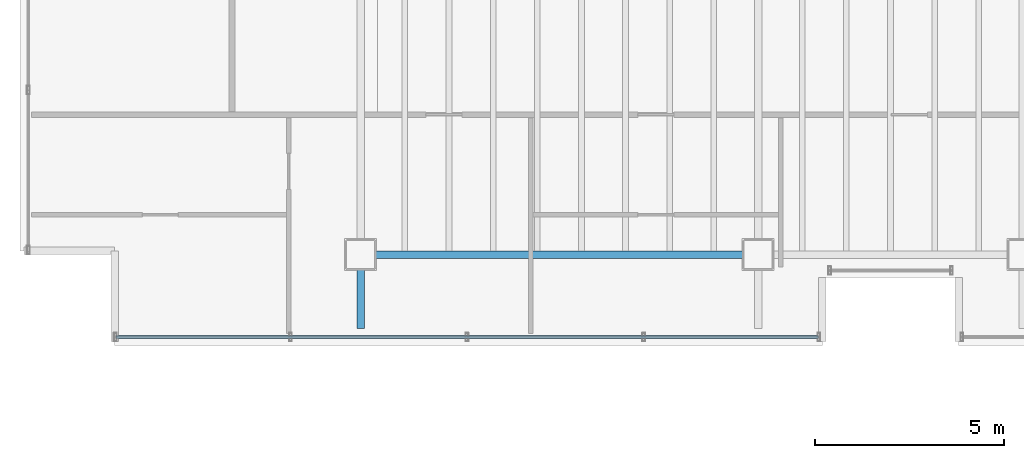
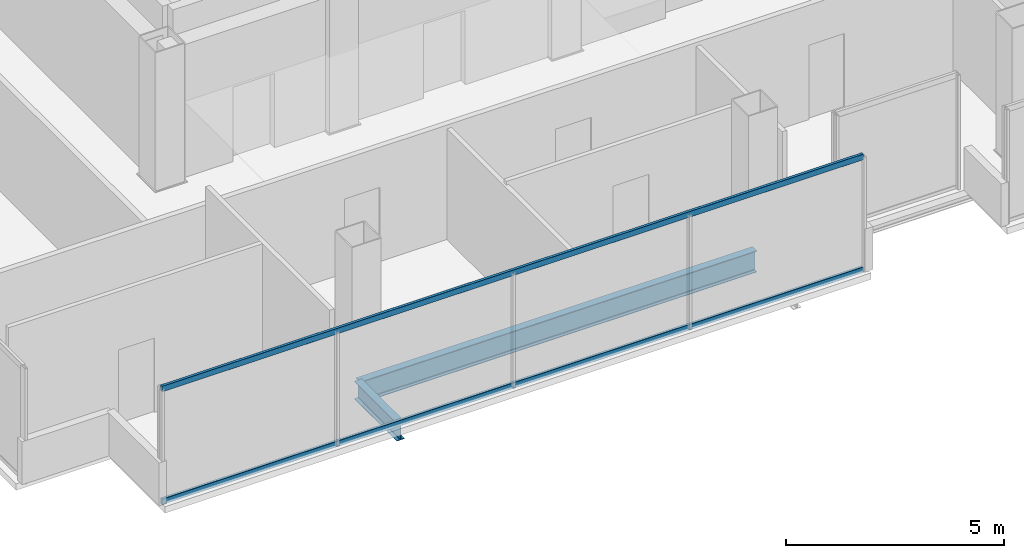
# One storey, part 3 of 17: 2 beams, 2 members, 1 element without a shape of its own.
"""IFC4 building model written with IfcOpenShell, lengths in metres."""

from ifc_helpers import new_model, si_unit, direction, frame, origin, origin_2d, place, context, subcontext, project, spatial, hollow_rectangle, i_section, extrude, material, material_profile, profile_set, type_object, element, aggregate, save


model = new_model("IFC4")

# Units and contexts
model_context = context("Model", 3, precision=1e-05, world=origin(), true_north=direction((0.0, 1.0)))
body_context = subcontext(model_context, "Body", "Model", "MODEL_VIEW")
ifc_project = project(units=[si_unit("LENGTHUNIT", "METRE"), si_unit("AREAUNIT", "SQUARE_METRE"), si_unit("VOLUMEUNIT", "CUBIC_METRE"), si_unit("PLANEANGLEUNIT", "RADIAN"), si_unit("MASSUNIT", "GRAM", prefix="KILO")], contexts=[model_context])

# Site, building, storey
site_placement = place(None, origin())
site = spatial("IfcSite", under=ifc_project, at=site_placement, CompositionType="ELEMENT")
building_placement = place(site_placement, origin())
building = spatial("IfcBuilding", under=site, at=building_placement, Name="Noeulbin Bourse Tower", CompositionType="ELEMENT")
storey_placement = place(building_placement, frame((0.0, 0.0, 265.699951171875)))
storey = spatial("IfcBuildingStorey", under=building, at=storey_placement, Name="L66", CompositionType="ELEMENT", Elevation=265.699951171875)

# Beams
ifc_material_1 = material(Name="Steel S355", Category="steel")
ifc_material_profile_1 = material_profile(ifc_material_1, i_section(OverallWidth=0.199951171875, OverallDepth=0.5, WebThickness=0.010009765625, FlangeThickness=0.01611328125, FilletRadius=0.02001953125, at=origin_2d()), Name="H-500x200x10x16", Category="LoadBearing")
ifc_profile_set_1 = profile_set([ifc_material_profile_1], Name="Steel S355")
beam_type_1 = type_object("IfcBeamType", Name="BM-GRD-500", PredefinedType="USERDEFINED", material=ifc_profile_set_1)
beam_1_placement = place(storey_placement, frame((13.5, 18.050048828125, -0.429931640625), z_axis=(0.0, 1.0, 0.0), x_axis=(-1.0, 0.0, 0.0)))
element("IfcBeam", 1, at=beam_1_placement, inside=storey, type_object=beam_type_1, Name="Tower Primary Girder NS L66-1.1", ObjectType="GIRDER", PredefinedType="USERDEFINED", context=body_context, shape_type="SweptSolid", body=[
    extrude(i_section(OverallWidth=0.199951171875, OverallDepth=0.5, WebThickness=0.010009765625, FlangeThickness=0.01611328125, FilletRadius=0.02001953125, at=origin_2d()), origin(), (0.0, 0.0, 1.0), 1.949951171875),
])
ifc_material_profile_2 = material_profile(ifc_material_1, i_section(OverallWidth=0.199951171875, OverallDepth=0.60009765625, WebThickness=0.010986328125, FlangeThickness=0.01708984375, FilletRadius=0.02197265625, at=origin_2d()), Name="H-600x200x11x17", Category="LoadBearing")
ifc_profile_set_2 = profile_set([ifc_material_profile_2], Name="Steel S355")
beam_type_2 = type_object("IfcBeamType", Name="BM-GRD-600", PredefinedType="USERDEFINED", material=ifc_profile_set_2)
beam_2_placement = place(storey_placement, frame((13.5, 20.0, -0.47998046875), z_axis=(1.0, 0.0, 0.0), x_axis=(0.0, 1.0, 0.0)))
element("IfcBeam", 2, at=beam_2_placement, inside=storey, type_object=beam_type_2, Name="Tower Primary Girder EW L66-1.1", ObjectType="GIRDER", PredefinedType="USERDEFINED", context=body_context, shape_type="SweptSolid", body=[
    extrude(i_section(OverallWidth=0.199951171875, OverallDepth=0.60009765625, WebThickness=0.010986328125, FlangeThickness=0.01708984375, FilletRadius=0.02197265625, at=origin_2d()), origin(), (0.0, 0.0, 1.0), 10.5),
])

# Curtain wall, members
ifc_material_2 = material(Name="High-Selectivity Low-Iron Glazing", Category="glass")
curtain_wall_type = type_object("IfcCurtainWallType", Name="CW-SYS-4", PredefinedType="NOTDEFINED", material=ifc_material_2)
curtain_wall_placement = place(storey_placement, origin())
curtain_wall = element("IfcCurtainWall", 3, at=curtain_wall_placement, inside=storey, type_object=curtain_wall_type, Name="Unitised Curtain Wall CW-L66-S1", PredefinedType="NOTDEFINED")
ifc_material_3 = material(Name="Anodised Aluminium 6063-T6", Category="aluminium")
ifc_material_profile_3 = material_profile(ifc_material_3, hollow_rectangle(XDim=0.074951171875, YDim=0.159912109375, WallThickness=0.0048828125, InnerFilletRadius=0.00244140625, OuterFilletRadius=0.0048828125, at=origin_2d()), Name="ALU-TRAN-75x160x5", Category="LoadBearing")
ifc_profile_set_3 = profile_set([ifc_material_profile_3], Name="Anodised Aluminium 6063-T6")
member_type = type_object("IfcMemberType", Name="CW-SYS-4-TRN", PredefinedType="USERDEFINED", material=ifc_profile_set_3)
member_1_placement = place(storey_placement, frame((7.030029296875, 17.820068359375, 0.010009765625), z_axis=(1.0, 0.0, 0.0), x_axis=(0.0, 1.0, 0.0)))
member_1 = element("IfcMember", 4, at=member_1_placement, type_object=member_type, Name="Curtain Wall Transom CW-L66-S1-T00", ObjectType="TRANSOM", PredefinedType="USERDEFINED", context=body_context, shape_type="SweptSolid", body=[
    extrude(hollow_rectangle(XDim=0.074951171875, YDim=0.159912109375, WallThickness=0.0048828125, InnerFilletRadius=0.00244140625, OuterFilletRadius=0.0048828125, at=origin_2d()), origin(), (0.0, 0.0, 1.0), 18.570068359375),
])
member_2_placement = place(storey_placement, frame((7.030029296875, 17.820068359375, 3.170166015625), z_axis=(1.0, 0.0, 0.0), x_axis=(0.0, 1.0, 0.0)))
member_2 = element("IfcMember", 5, at=member_2_placement, type_object=member_type, Name="Curtain Wall Transom CW-L66-S1-T01", ObjectType="TRANSOM", PredefinedType="USERDEFINED", context=body_context, shape_type="SweptSolid", body=[
    extrude(hollow_rectangle(XDim=0.074951171875, YDim=0.159912109375, WallThickness=0.0048828125, InnerFilletRadius=0.00244140625, OuterFilletRadius=0.0048828125, at=origin_2d()), origin(), (0.0, 0.0, 1.0), 18.570068359375),
])
aggregate(curtain_wall, [member_1, member_2])

save(model, "model.ifc")
